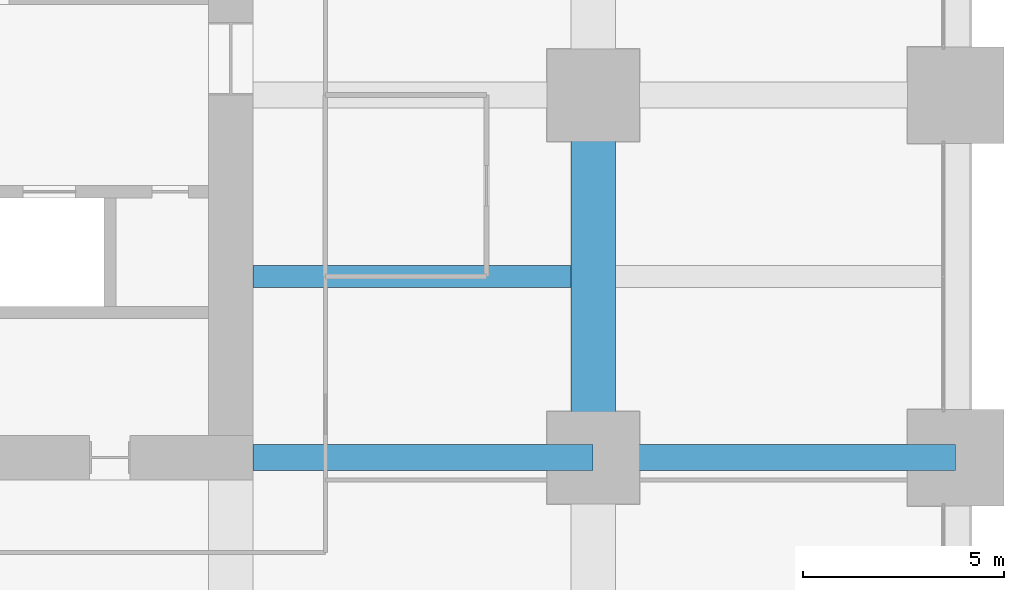
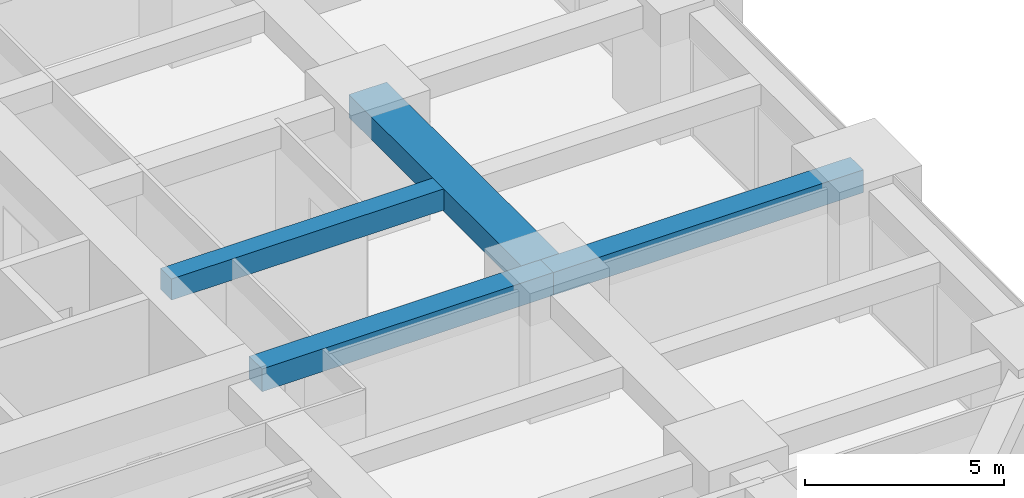
# One storey, part 19 of 44: 4 beams.
"""IFC4 building model written with IfcOpenShell, lengths in metres."""

from ifc_helpers import new_model, si_unit, direction, frame, origin, origin_2d, place, context, subcontext, project, spatial, rectangle, extrude, material, material_profile, profile_set, type_object, element, save


model = new_model("IFC4")

# Units and contexts
model_context = context("Model", 3, precision=1e-05, world=origin(), true_north=direction((0.0, 1.0)))
body_context = subcontext(model_context, "Body", "Model", "MODEL_VIEW")
ifc_project = project(units=[si_unit("LENGTHUNIT", "METRE"), si_unit("AREAUNIT", "SQUARE_METRE"), si_unit("VOLUMEUNIT", "CUBIC_METRE"), si_unit("PLANEANGLEUNIT", "RADIAN"), si_unit("MASSUNIT", "GRAM", prefix="KILO")], contexts=[model_context])

# Site, building, storey
site_placement = place(None, origin())
site = spatial("IfcSite", under=ifc_project, at=site_placement, CompositionType="ELEMENT")
building_placement = place(site_placement, origin())
building = spatial("IfcBuilding", under=site, at=building_placement, Name="Zorevar Civic Tower", CompositionType="ELEMENT")
storey_placement = place(building_placement, frame((0.0, 0.0, 35.800048828125)))
storey = spatial("IfcBuildingStorey", under=building, at=storey_placement, Name="L08", CompositionType="ELEMENT", Elevation=35.800048828125)

# Beams
ifc_material_1 = material(Name="Concrete C50/60", Category="concrete")
ifc_material_profile_1 = material_profile(ifc_material_1, rectangle(XDim=1.10009765625, YDim=0.699951171875, at=origin_2d()), Name="RC 1100x700")
ifc_profile_set_1 = profile_set([ifc_material_profile_1], Name="Concrete C50/60")
beam_type_1 = type_object("IfcBeamType", Name="Beam RC 1100x700", PredefinedType="BEAM", material=ifc_profile_set_1)
beam_1_placement = place(storey_placement, frame((54.0, 18.0, 3.39990234375), z_axis=(0.0, 1.0, 0.0), x_axis=(-1.0, 0.0, 0.0)))
element("IfcBeam", 1, at=beam_1_placement, inside=storey, type_object=beam_type_1, Name="Girder L09", PredefinedType="BEAM", context=body_context, shape_type="SweptSolid", body=[
    extrude(rectangle(XDim=1.10009765625, YDim=0.699951171875, at=origin_2d()), origin(), (0.0, 0.0, 1.0), 9.0),
])
ifc_material_2 = material(Name="Concrete C50/60", Category="concrete")
ifc_material_profile_2 = material_profile(ifc_material_2, rectangle(XDim=0.550048828125, YDim=0.64990234375, at=origin_2d()), Name="RC 550x650")
ifc_profile_set_2 = profile_set([ifc_material_profile_2], Name="Concrete C50/60")
beam_type_2 = type_object("IfcBeamType", Name="Beam RC 550x650", PredefinedType="BEAM", material=ifc_profile_set_2)
beam_2_placement = place(storey_placement, frame((45.550048828125, 22.5, 3.425048828125), z_axis=(1.0, 0.0, 0.0), x_axis=(0.0, 1.0, 0.0)))
element("IfcBeam", 2, at=beam_2_placement, inside=storey, type_object=beam_type_2, Name="Secondary beam L09", PredefinedType="BEAM", context=body_context, shape_type="SweptSolid", body=[
    extrude(rectangle(XDim=0.550048828125, YDim=0.64990234375, at=origin_2d()), origin(), (0.0, 0.0, 1.0), 7.89990234375),
])
ifc_material_3 = material(Name="Concrete C50/60", Category="concrete")
ifc_material_profile_3 = material_profile(ifc_material_3, rectangle(XDim=0.64990234375, YDim=0.699951171875, at=origin_2d()), Name="RC 650x700")
ifc_profile_set_3 = profile_set([ifc_material_profile_3], Name="Concrete C50/60")
beam_type_3 = type_object("IfcBeamType", Name="Beam RC 650x700", PredefinedType="BEAM", material=ifc_profile_set_3)
beam_3_placement = place(storey_placement, frame((45.550048828125, 18.0, 3.39990234375), z_axis=(1.0, 0.0, 0.0), x_axis=(0.0, 1.0, 0.0)))
element("IfcBeam", 3, at=beam_3_placement, inside=storey, type_object=beam_type_3, Name="Girder L09", PredefinedType="BEAM", context=body_context, shape_type="SweptSolid", body=[
    extrude(rectangle(XDim=0.64990234375, YDim=0.699951171875, at=origin_2d()), origin(), (0.0, 0.0, 1.0), 8.449951171875),
])
beam_4_placement = place(storey_placement, frame((54.0, 18.0, 3.39990234375), z_axis=(1.0, 0.0, 0.0), x_axis=(0.0, 1.0, 0.0)))
element("IfcBeam", 4, at=beam_4_placement, inside=storey, type_object=beam_type_3, Name="Girder L09", PredefinedType="BEAM", context=body_context, shape_type="SweptSolid", body=[
    extrude(rectangle(XDim=0.64990234375, YDim=0.699951171875, at=origin_2d()), origin(), (0.0, 0.0, 1.0), 9.0),
])

save(model, "model.ifc")
